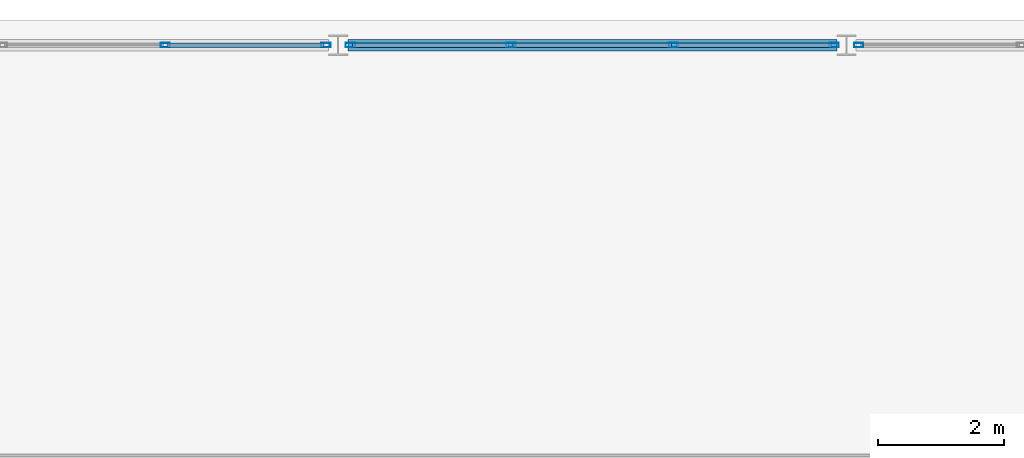
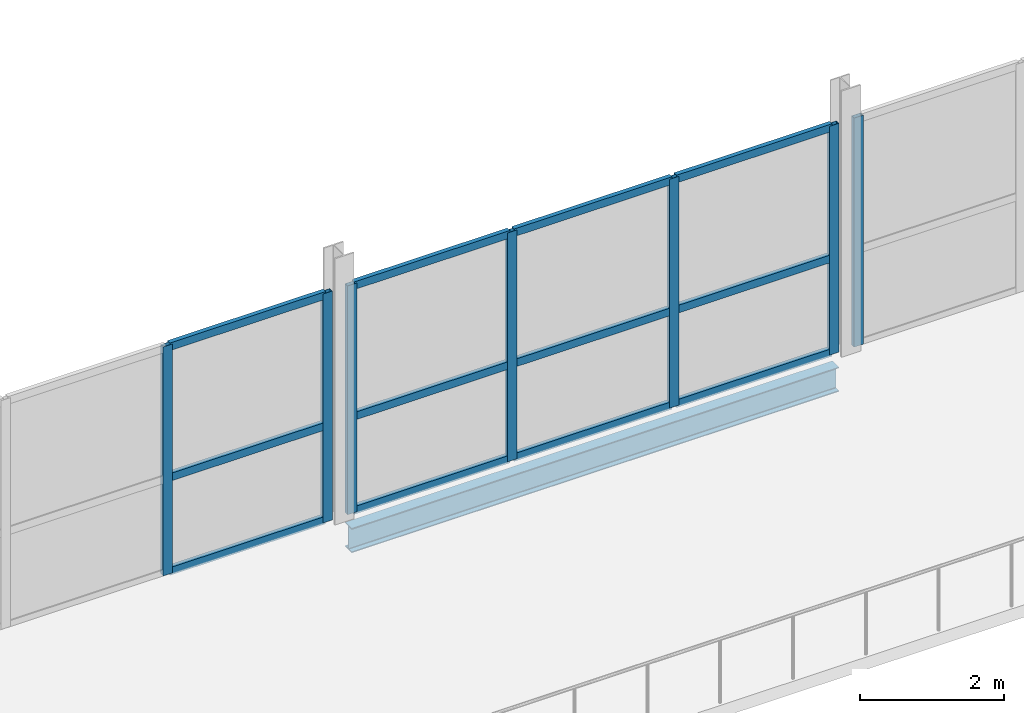
# One storey, part 52 of 77: 19 members, 1 beam, 3 elements without a shape of their own.
"""IFC4 building model written with IfcOpenShell, lengths in metres."""

from ifc_helpers import new_model, si_unit, direction, frame, origin, origin_2d, place, context, subcontext, project, spatial, hollow_rectangle, i_section, extrude, material, layer, layer_set, material_profile, profile_set, type_object, element, aggregate, save


model = new_model("IFC4")

# Units and contexts
model_context = context("Model", 3, precision=1e-05, world=origin(), true_north=direction((0.0, 1.0)))
body_context = subcontext(model_context, "Body", "Model", "MODEL_VIEW")
ifc_project = project(units=[si_unit("LENGTHUNIT", "METRE"), si_unit("AREAUNIT", "SQUARE_METRE"), si_unit("VOLUMEUNIT", "CUBIC_METRE"), si_unit("PLANEANGLEUNIT", "RADIAN"), si_unit("MASSUNIT", "GRAM", prefix="KILO")], contexts=[model_context])

# Site, building, storey
site_placement = place(None, origin())
site = spatial("IfcSite", under=ifc_project, at=site_placement, CompositionType="ELEMENT")
building_placement = place(site_placement, origin())
building = spatial("IfcBuilding", under=site, at=building_placement, Name="Quillay Park Conservatory", CompositionType="ELEMENT")
storey_placement = place(building_placement, frame((0.0, 0.0, 5.39990234375)))
storey = spatial("IfcBuildingStorey", under=building, at=storey_placement, Name="L01", CompositionType="ELEMENT", Elevation=5.39990234375)

# Curtain wall, members
ifc_material_1 = material(Name="Thermally Broken Anodised Aluminium 6063-T6", Category="aluminium")
ifc_layer = layer(ifc_material_1, 0.1650390625)
ifc_layer_set = layer_set([ifc_layer], Name="UNITISED CURTAIN WALL PODIUM (Thermally Broken Anodised Aluminium 6063-T6)")
curtain_wall_type = type_object("IfcCurtainWallType", Name="UNITISED CURTAIN WALL PODIUM", PredefinedType="USERDEFINED", material=ifc_layer_set)
curtain_wall_1_placement = place(storey_placement, origin())
curtain_wall_1 = element("IfcCurtainWall", 1, at=curtain_wall_1_placement, inside=storey, type_object=curtain_wall_type, Name="L01 Unitised Curtain Wall 220", ObjectType="UNITISED CURTAIN WALL", PredefinedType="USERDEFINED")
ifc_material_2 = material(Name="Thermally Broken Anodised Aluminium 6063-T6", Category="aluminium")
ifc_material_profile_1 = material_profile(ifc_material_2, hollow_rectangle(XDim=0.070068359375, YDim=0.14990234375, WallThickness=0.00341796875, at=origin_2d()), Name="AL70x150x3.5")
ifc_profile_set_1 = profile_set([ifc_material_profile_1], Name="Thermally Broken Anodised Aluminium 6063-T6")
member_type_1 = type_object("IfcMemberType", Name="CURTAIN WALL MULLION 70 X150", PredefinedType="MULLION", material=ifc_profile_set_1)
member_1_placement = place(storey_placement, frame((128.94677734375, 113.39990234375, 0.0), z_axis=(0.0, 0.0, 1.0), x_axis=(0.0, 1.0, 0.0)))
member_1 = element("IfcMember", 2, at=member_1_placement, type_object=member_type_1, Name="CW-P1 mullion 3", PredefinedType="MULLION", context=body_context, shape_type="SweptSolid", body=[
    extrude(hollow_rectangle(XDim=0.070068359375, YDim=0.14990234375, WallThickness=0.00341796875, at=origin_2d()), origin(), (0.0, 0.0, 1.0), 3.869140625),
])
member_2_placement = place(storey_placement, frame((131.5048828125, 113.39990234375, 0.0), z_axis=(0.0, 0.0, 1.0), x_axis=(0.0, 1.0, 0.0)))
member_2 = element("IfcMember", 3, at=member_2_placement, type_object=member_type_1, Name="CW-P1 mullion 4", PredefinedType="MULLION", context=body_context, shape_type="SweptSolid", body=[
    extrude(hollow_rectangle(XDim=0.070068359375, YDim=0.14990234375, WallThickness=0.00341796875, at=origin_2d()), origin(), (0.0, 0.0, 1.0), 3.869140625),
])

curtain_wall_2_placement = place(storey_placement, origin())
curtain_wall_2 = element("IfcCurtainWall", 4, at=curtain_wall_2_placement, inside=storey, type_object=curtain_wall_type, Name="L01 Unitised Curtain Wall 221", ObjectType="UNITISED CURTAIN WALL", PredefinedType="USERDEFINED")
member_3_placement = place(storey_placement, frame((131.89501953125, 113.39990234375, 0.0), z_axis=(0.0, 0.0, 1.0), x_axis=(0.0, 1.0, 0.0)))
member_3 = element("IfcMember", 5, at=member_3_placement, type_object=member_type_1, Name="CW-P1 mullion 1", PredefinedType="MULLION", context=body_context, shape_type="SweptSolid", body=[
    extrude(hollow_rectangle(XDim=0.070068359375, YDim=0.14990234375, WallThickness=0.00341796875, at=origin_2d()), origin(), (0.0, 0.0, 1.0), 3.869140625),
])
member_4_placement = place(storey_placement, frame((134.453369140625, 113.39990234375, 0.0), z_axis=(0.0, 0.0, 1.0), x_axis=(0.0, 1.0, 0.0)))
member_4 = element("IfcMember", 6, at=member_4_placement, type_object=member_type_1, Name="CW-P1 mullion 2", PredefinedType="MULLION", context=body_context, shape_type="SweptSolid", body=[
    extrude(hollow_rectangle(XDim=0.070068359375, YDim=0.14990234375, WallThickness=0.00341796875, at=origin_2d()), origin(), (0.0, 0.0, 1.0), 3.869140625),
])
member_5_placement = place(storey_placement, frame((137.046630859375, 113.39990234375, 0.0), z_axis=(0.0, 0.0, 1.0), x_axis=(0.0, 1.0, 0.0)))
member_5 = element("IfcMember", 7, at=member_5_placement, type_object=member_type_1, Name="CW-P1 mullion 3", PredefinedType="MULLION", context=body_context, shape_type="SweptSolid", body=[
    extrude(hollow_rectangle(XDim=0.070068359375, YDim=0.14990234375, WallThickness=0.00341796875, at=origin_2d()), origin(), (0.0, 0.0, 1.0), 3.869140625),
])
member_6_placement = place(storey_placement, frame((139.60498046875, 113.39990234375, 0.0), z_axis=(0.0, 0.0, 1.0), x_axis=(0.0, 1.0, 0.0)))
member_6 = element("IfcMember", 8, at=member_6_placement, type_object=member_type_1, Name="CW-P1 mullion 4", PredefinedType="MULLION", context=body_context, shape_type="SweptSolid", body=[
    extrude(hollow_rectangle(XDim=0.070068359375, YDim=0.14990234375, WallThickness=0.00341796875, at=origin_2d()), origin(), (0.0, 0.0, 1.0), 3.869140625),
])

# Curtain wall, member
curtain_wall_3_placement = place(storey_placement, origin())
curtain_wall_3 = element("IfcCurtainWall", 9, at=curtain_wall_3_placement, inside=storey, type_object=curtain_wall_type, Name="L01 Unitised Curtain Wall 222", ObjectType="UNITISED CURTAIN WALL", PredefinedType="USERDEFINED")
member_7_placement = place(storey_placement, frame((139.9951171875, 113.39990234375, 0.0), z_axis=(0.0, 0.0, 1.0), x_axis=(0.0, 1.0, 0.0)))
member_7 = element("IfcMember", 10, at=member_7_placement, type_object=member_type_1, Name="CW-P1 mullion 1", PredefinedType="MULLION", context=body_context, shape_type="SweptSolid", body=[
    extrude(hollow_rectangle(XDim=0.070068359375, YDim=0.14990234375, WallThickness=0.00341796875, at=origin_2d()), origin(), (0.0, 0.0, 1.0), 3.869140625),
])
aggregate(curtain_wall_3, [member_7])

# Member
ifc_material_3 = material(Name="Thermally Broken Anodised Aluminium 6063-T6", Category="aluminium")
ifc_material_profile_2 = material_profile(ifc_material_3, hollow_rectangle(XDim=0.070068359375, YDim=0.1298828125, WallThickness=0.003173828125, at=origin_2d()), Name="AL70x130x3.2")
ifc_profile_set_2 = profile_set([ifc_material_profile_2], Name="Thermally Broken Anodised Aluminium 6063-T6")
member_type_2 = type_object("IfcMemberType", Name="CURTAIN WALL TRANSOM 70 X130", PredefinedType="USERDEFINED", material=ifc_profile_set_2)
member_8_placement = place(storey_placement, frame((128.981689453125, 113.39990234375, 0.03515625), z_axis=(1.0, 0.0, 0.0), x_axis=(0.0, 1.0, 0.0)))
member_8 = element("IfcMember", 11, at=member_8_placement, type_object=member_type_2, Name="CW-P1 transom 3.1", ObjectType="TRANSOM", PredefinedType="USERDEFINED", context=body_context, shape_type="SweptSolid", body=[
    extrude(hollow_rectangle(XDim=0.070068359375, YDim=0.1298828125, WallThickness=0.003173828125, at=origin_2d()), origin(), (0.0, 0.0, 1.0), 2.48828125),
])

member_9_placement = place(storey_placement, frame((128.981689453125, 113.39990234375, 1.625), z_axis=(1.0, 0.0, 0.0), x_axis=(0.0, 1.0, 0.0)))
member_9 = element("IfcMember", 12, at=member_9_placement, type_object=member_type_2, Name="CW-P1 transom 3.2", ObjectType="TRANSOM", PredefinedType="USERDEFINED", context=body_context, shape_type="SweptSolid", body=[
    extrude(hollow_rectangle(XDim=0.070068359375, YDim=0.1298828125, WallThickness=0.003173828125, at=origin_2d()), origin(), (0.0, 0.0, 1.0), 2.48828125),
])

member_10_placement = place(storey_placement, frame((128.981689453125, 113.39990234375, 3.833984375), z_axis=(1.0, 0.0, 0.0), x_axis=(0.0, 1.0, 0.0)))
member_10 = element("IfcMember", 13, at=member_10_placement, type_object=member_type_2, Name="CW-P1 transom 3.3", ObjectType="TRANSOM", PredefinedType="USERDEFINED", context=body_context, shape_type="SweptSolid", body=[
    extrude(hollow_rectangle(XDim=0.070068359375, YDim=0.1298828125, WallThickness=0.003173828125, at=origin_2d()), origin(), (0.0, 0.0, 1.0), 2.48828125),
])

aggregate(curtain_wall_1, [member_1, member_2, member_8, member_9, member_10])

member_11_placement = place(storey_placement, frame((131.929931640625, 113.39990234375, 0.03515625), z_axis=(1.0, 0.0, 0.0), x_axis=(0.0, 1.0, 0.0)))
member_11 = element("IfcMember", 14, at=member_11_placement, type_object=member_type_2, Name="CW-P1 transom 1.1", ObjectType="TRANSOM", PredefinedType="USERDEFINED", context=body_context, shape_type="SweptSolid", body=[
    extrude(hollow_rectangle(XDim=0.070068359375, YDim=0.1298828125, WallThickness=0.003173828125, at=origin_2d()), origin(), (0.0, 0.0, 1.0), 2.48828125),
])

member_12_placement = place(storey_placement, frame((131.929931640625, 113.39990234375, 1.625), z_axis=(1.0, 0.0, 0.0), x_axis=(0.0, 1.0, 0.0)))
member_12 = element("IfcMember", 15, at=member_12_placement, type_object=member_type_2, Name="CW-P1 transom 1.2", ObjectType="TRANSOM", PredefinedType="USERDEFINED", context=body_context, shape_type="SweptSolid", body=[
    extrude(hollow_rectangle(XDim=0.070068359375, YDim=0.1298828125, WallThickness=0.003173828125, at=origin_2d()), origin(), (0.0, 0.0, 1.0), 2.48828125),
])

member_13_placement = place(storey_placement, frame((131.929931640625, 113.39990234375, 3.833984375), z_axis=(1.0, 0.0, 0.0), x_axis=(0.0, 1.0, 0.0)))
member_13 = element("IfcMember", 16, at=member_13_placement, type_object=member_type_2, Name="CW-P1 transom 1.3", ObjectType="TRANSOM", PredefinedType="USERDEFINED", context=body_context, shape_type="SweptSolid", body=[
    extrude(hollow_rectangle(XDim=0.070068359375, YDim=0.1298828125, WallThickness=0.003173828125, at=origin_2d()), origin(), (0.0, 0.0, 1.0), 2.48828125),
])

member_14_placement = place(storey_placement, frame((134.48828125, 113.39990234375, 0.03515625), z_axis=(1.0, 0.0, 0.0), x_axis=(0.0, 1.0, 0.0)))
member_14 = element("IfcMember", 17, at=member_14_placement, type_object=member_type_2, Name="CW-P1 transom 2.1", ObjectType="TRANSOM", PredefinedType="USERDEFINED", context=body_context, shape_type="SweptSolid", body=[
    extrude(hollow_rectangle(XDim=0.070068359375, YDim=0.1298828125, WallThickness=0.003173828125, at=origin_2d()), origin(), (0.0, 0.0, 1.0), 2.5234375),
])

member_15_placement = place(storey_placement, frame((134.48828125, 113.39990234375, 1.625), z_axis=(1.0, 0.0, 0.0), x_axis=(0.0, 1.0, 0.0)))
member_15 = element("IfcMember", 18, at=member_15_placement, type_object=member_type_2, Name="CW-P1 transom 2.2", ObjectType="TRANSOM", PredefinedType="USERDEFINED", context=body_context, shape_type="SweptSolid", body=[
    extrude(hollow_rectangle(XDim=0.070068359375, YDim=0.1298828125, WallThickness=0.003173828125, at=origin_2d()), origin(), (0.0, 0.0, 1.0), 2.5234375),
])

member_16_placement = place(storey_placement, frame((134.48828125, 113.39990234375, 3.833984375), z_axis=(1.0, 0.0, 0.0), x_axis=(0.0, 1.0, 0.0)))
member_16 = element("IfcMember", 19, at=member_16_placement, type_object=member_type_2, Name="CW-P1 transom 2.3", ObjectType="TRANSOM", PredefinedType="USERDEFINED", context=body_context, shape_type="SweptSolid", body=[
    extrude(hollow_rectangle(XDim=0.070068359375, YDim=0.1298828125, WallThickness=0.003173828125, at=origin_2d()), origin(), (0.0, 0.0, 1.0), 2.5234375),
])

member_17_placement = place(storey_placement, frame((137.081787109375, 113.39990234375, 0.03515625), z_axis=(1.0, 0.0, 0.0), x_axis=(0.0, 1.0, 0.0)))
member_17 = element("IfcMember", 20, at=member_17_placement, type_object=member_type_2, Name="CW-P1 transom 3.1", ObjectType="TRANSOM", PredefinedType="USERDEFINED", context=body_context, shape_type="SweptSolid", body=[
    extrude(hollow_rectangle(XDim=0.070068359375, YDim=0.1298828125, WallThickness=0.003173828125, at=origin_2d()), origin(), (0.0, 0.0, 1.0), 2.48828125),
])

member_18_placement = place(storey_placement, frame((137.081787109375, 113.39990234375, 1.625), z_axis=(1.0, 0.0, 0.0), x_axis=(0.0, 1.0, 0.0)))
member_18 = element("IfcMember", 21, at=member_18_placement, type_object=member_type_2, Name="CW-P1 transom 3.2", ObjectType="TRANSOM", PredefinedType="USERDEFINED", context=body_context, shape_type="SweptSolid", body=[
    extrude(hollow_rectangle(XDim=0.070068359375, YDim=0.1298828125, WallThickness=0.003173828125, at=origin_2d()), origin(), (0.0, 0.0, 1.0), 2.48828125),
])

member_19_placement = place(storey_placement, frame((137.081787109375, 113.39990234375, 3.833984375), z_axis=(1.0, 0.0, 0.0), x_axis=(0.0, 1.0, 0.0)))
member_19 = element("IfcMember", 22, at=member_19_placement, type_object=member_type_2, Name="CW-P1 transom 3.3", ObjectType="TRANSOM", PredefinedType="USERDEFINED", context=body_context, shape_type="SweptSolid", body=[
    extrude(hollow_rectangle(XDim=0.070068359375, YDim=0.1298828125, WallThickness=0.003173828125, at=origin_2d()), origin(), (0.0, 0.0, 1.0), 2.48828125),
])

aggregate(curtain_wall_2, [member_3, member_4, member_5, member_6, member_11, member_12, member_13, member_14, member_15, member_16, member_17, member_18, member_19])

# Beam
ifc_material_4 = material(Name="Steel ASTM A992 Grade 50", Category="steel")
ifc_material_profile_3 = material_profile(ifc_material_4, i_section(OverallWidth=0.179931640625, OverallDepth=0.4130859375, WebThickness=0.009765625, FlangeThickness=0.01611328125, FilletRadius=0.011962890625, at=origin_2d()), Name="W410x74")
ifc_profile_set_3 = profile_set([ifc_material_profile_3], Name="Steel ASTM A992 Grade 50")
beam_type = type_object("IfcBeamType", Name="PERIMETER SPANDREL BEAM W410 X74", PredefinedType="SPANDREL", material=ifc_profile_set_3)
beam_placement = place(storey_placement, frame((131.85498046875, 113.39990234375, -0.41650390625), z_axis=(1.0, 0.0, 0.0), x_axis=(0.0, 1.0, 0.0)))
element("IfcBeam", 23, at=beam_placement, inside=storey, type_object=beam_type, Name="L01 beam BM-V2P-1707", PredefinedType="SPANDREL", context=body_context, shape_type="SweptSolid", body=[
    extrude(i_section(OverallWidth=0.179931640625, OverallDepth=0.4130859375, WebThickness=0.009765625, FlangeThickness=0.01611328125, FilletRadius=0.011962890625, at=origin_2d()), origin(), (0.0, 0.0, 1.0), 7.7900390625),
])

save(model, "model.ifc")
